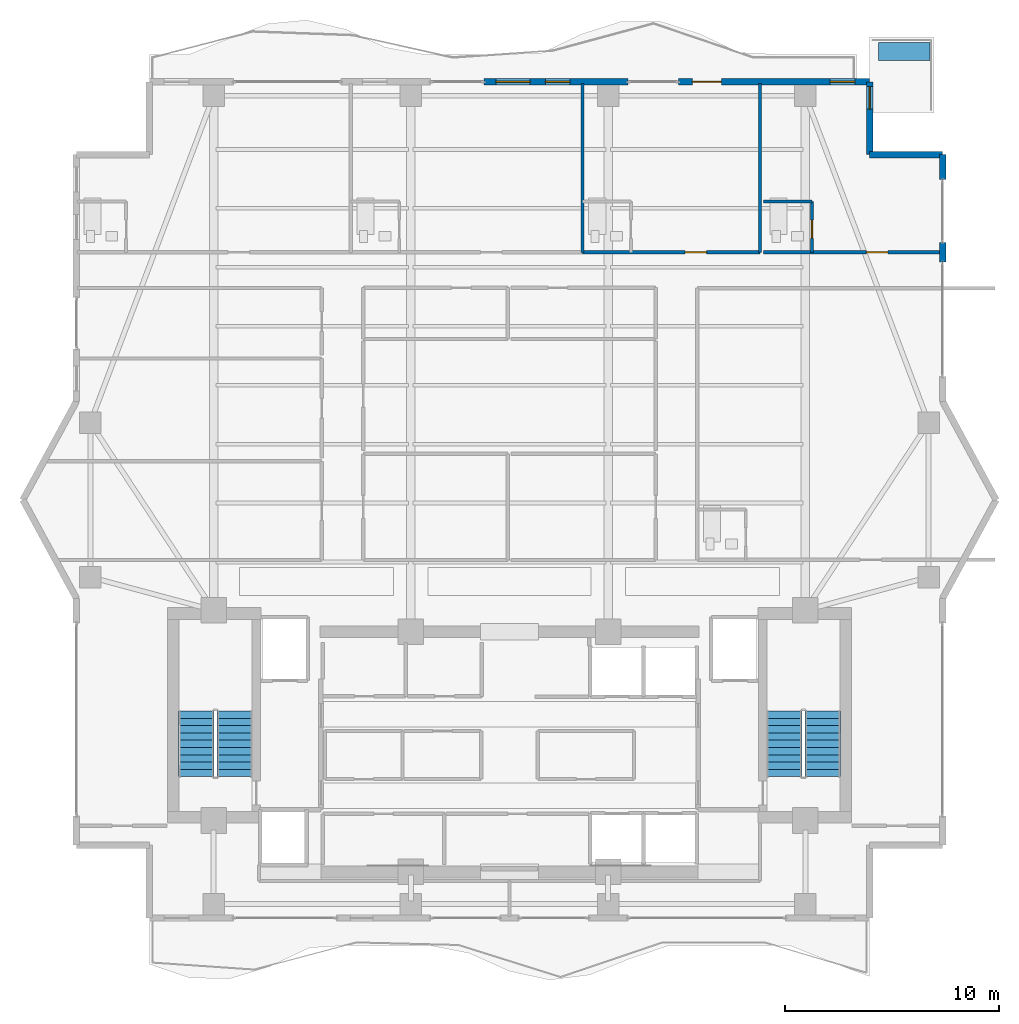
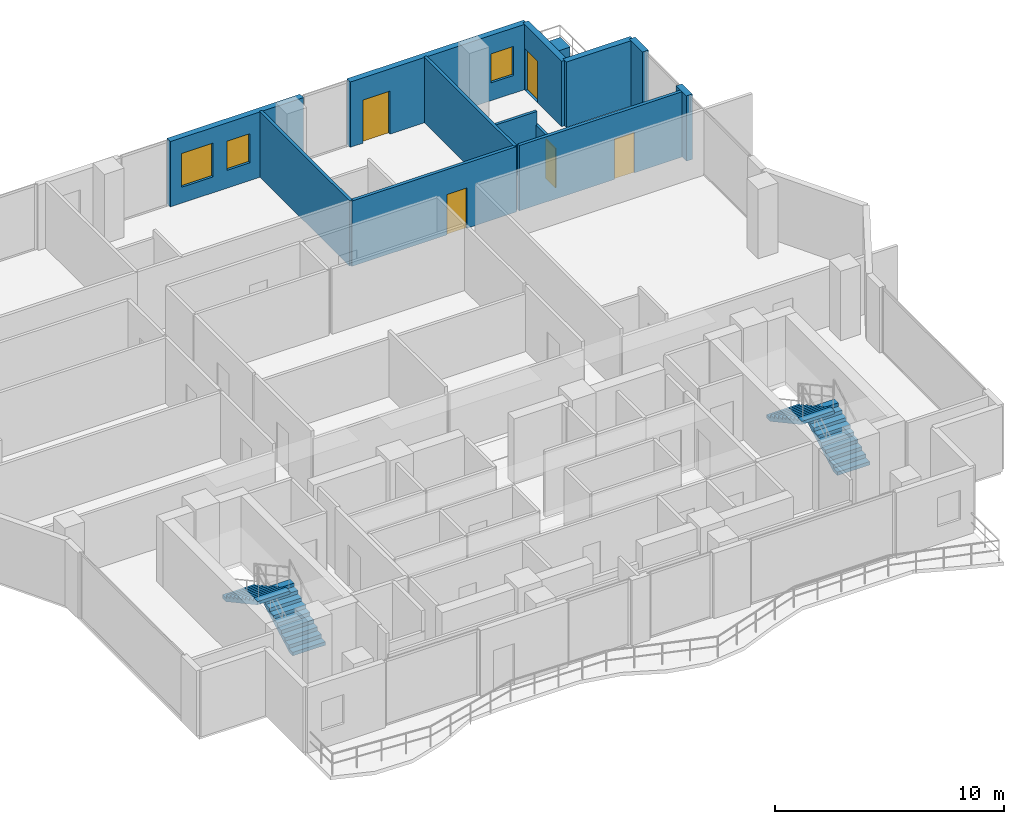
# One storey, part 20 of 23: 12 walls, 5 doors, 4 stair flights, 3 windows, 1 building element part, 8 openings, 2 elements without a shape of their own.
"""IFC4 building model written with IfcOpenShell, lengths in metres."""

from ifc_helpers import new_model, si_unit, direction, frame, frame_2d, origin, origin_2d, place, context, subcontext, project, spatial, polyline, rectangle, outline, extrude, material, layer, layer_set, type_object, element, fill, aggregate, save


model = new_model("IFC4")

# Units and contexts
model_context = context("Model", 3, precision=1e-05, world=origin(), true_north=direction((0.0, 1.0)))
body_context = subcontext(model_context, "Body", "Model", "MODEL_VIEW")
ifc_project = project(units=[si_unit("LENGTHUNIT", "METRE"), si_unit("AREAUNIT", "SQUARE_METRE"), si_unit("VOLUMEUNIT", "CUBIC_METRE"), si_unit("PLANEANGLEUNIT", "RADIAN"), si_unit("MASSUNIT", "GRAM", prefix="KILO")], contexts=[model_context])

# Site, building, storey
site_placement = place(None, origin())
site = spatial("IfcSite", under=ifc_project, at=site_placement, CompositionType="ELEMENT")
building_placement = place(site_placement, origin())
building = spatial("IfcBuilding", under=site, at=building_placement, Name="Zuhayl Quay Hotel", CompositionType="ELEMENT")
storey_placement = place(building_placement, frame((0.0, 0.0, 265.550048828125)))
storey = spatial("IfcBuildingStorey", under=building, at=storey_placement, Name="L67", CompositionType="ELEMENT", Elevation=265.550048828125)

# Wall, openings, windows
ifc_material_1 = material(Name="Precast concrete C45/55", Category="concrete")
ifc_layer_1 = layer(ifc_material_1, 0.300048828125, Name="Precast concrete C45/55", Category="concrete")
ifc_layer_set_1 = layer_set([ifc_layer_1], Name="Precast concrete C45/55")
wall_type_1 = type_object("IfcWallType", Name="WL_EXT_300", PredefinedType="STANDARD", material=ifc_layer_set_1)
wall_1_placement = place(storey_placement, frame((-1.18994140625, 39.0, 0.0), z_axis=(0.0, 0.0, 1.0), x_axis=(1.0, 0.0, 0.0)))
wall_1 = element("IfcWall", 1, at=wall_1_placement, inside=storey, type_object=wall_type_1, Name="L67 Exterior Precast Wall ENV_L67_N_EW3", PredefinedType="STANDARD", context=body_context, shape_type="SweptSolid", body=[
    extrude(rectangle(XDim=6.7099609375, YDim=0.300048828125, at=frame_2d((3.35498046875, 0.0))), origin(), (0.0, 0.0, 1.0), 3.47998046875),
])
opening_1_placement = place(wall_1_placement, frame((0.550048828125, 0.0, 0.85009765625)))
opening_1 = element("IfcOpeningElement", 2, at=opening_1_placement, cuts=wall_1, Name="Opening W01", PredefinedType="OPENING", context=body_context, shape_type="SweptSolid", body=[
    extrude(rectangle(XDim=1.60009765625, YDim=1.800048828125, at=frame_2d((0.800048828125, 0.89990234375))), frame((0.0, 0.159912109375, 0.0), z_axis=(0.0, -1.0, 0.0), x_axis=(1.0, 0.0, 0.0)), (0.0, 0.0, 1.0), 0.320068359375),
])
opening_2_placement = place(wall_1_placement, frame((2.860107421875, 0.0, 0.949951171875)))
opening_2 = element("IfcOpeningElement", 3, at=opening_2_placement, cuts=wall_1, Name="Opening W01N", PredefinedType="OPENING", context=body_context, shape_type="SweptSolid", body=[
    extrude(rectangle(XDim=1.14990234375, YDim=1.550048828125, at=frame_2d((0.574951171875, 0.77490234375))), frame((0.0, 0.159912109375, 0.0), z_axis=(0.0, -1.0, 0.0), x_axis=(1.0, 0.0, 0.0)), (0.0, 0.0, 1.0), 0.320068359375),
])
ifc_material_2 = material(Name="Dark Ceramic-Fritted Solar Glass", Category="glass")
window_type_1 = type_object("IfcWindowType", Name="WN_NOTCH_1350", PartitioningType="SINGLE_PANEL", PredefinedType="WINDOW", material=ifc_material_2)
window_1_placement = place(opening_2_placement, origin())
window_1 = element("IfcWindow", 4, at=window_1_placement, inside=storey, type_object=window_type_1, Name="L67 Operable Facade Window 3-1", OverallHeight=1.550048828125, OverallWidth=1.14990234375, PartitioningType="SINGLE_PANEL", PredefinedType="WINDOW", context=body_context, shape_type="SweptSolid", body=[
    extrude(rectangle(XDim=1.14990234375, YDim=1.550048828125, at=frame_2d((0.574951171875, 0.77490234375))), frame((0.0, 0.030029296875, 0.0), z_axis=(0.0, -1.0, 0.0), x_axis=(1.0, 0.0, 0.0)), (0.0, 0.0, 1.0), 0.06005859375),
])
fill(opening_2, window_1)
window_type_2 = type_object("IfcWindowType", Name="WN_OPERABLE_1600", PartitioningType="DOUBLE_PANEL_VERTICAL", PredefinedType="WINDOW", material=ifc_material_2)
window_2_placement = place(opening_1_placement, origin())
window_2 = element("IfcWindow", 5, at=window_2_placement, inside=storey, type_object=window_type_2, Name="L67 North Operable Casement Window", OverallHeight=1.800048828125, OverallWidth=1.60009765625, PartitioningType="SINGLE_PANEL", PredefinedType="WINDOW", context=body_context, shape_type="SweptSolid", body=[
    extrude(rectangle(XDim=1.60009765625, YDim=1.800048828125, at=frame_2d((0.800048828125, 0.89990234375))), frame((0.0, 0.030029296875, 0.0), z_axis=(0.0, -1.0, 0.0), x_axis=(1.0, 0.0, 0.0)), (0.0, 0.0, 1.0), 0.06005859375),
])
fill(opening_1, window_2)

# Wall, openings, door, window
wall_2_placement = place(storey_placement, frame((7.8779296875, 39.0, 0.0), z_axis=(0.0, 0.0, 1.0), x_axis=(1.0, 0.0, 0.0)))
wall_2 = element("IfcWall", 6, at=wall_2_placement, inside=storey, type_object=wall_type_1, Name="L67 Exterior Precast Wall ENV_L67_N_EW4", PredefinedType="STANDARD", context=body_context, shape_type="SweptSolid", body=[
    extrude(rectangle(XDim=8.922119140625, YDim=0.300048828125, at=frame_2d((4.4609375, 0.0))), origin(), (0.0, 0.0, 1.0), 3.47998046875),
])
opening_3_placement = place(wall_2_placement, frame((0.64990234375, 0.0, 0.0)))
opening_3 = element("IfcOpeningElement", 7, at=opening_3_placement, cuts=wall_2, Name="Opening DG2", PredefinedType="OPENING", context=body_context, shape_type="SweptSolid", body=[
    extrude(rectangle(XDim=1.35009765625, YDim=2.300048828125, at=frame_2d((0.675048828125, 1.14990234375))), frame((0.0, 0.159912109375, 0.0), z_axis=(0.0, -1.0, 0.0), x_axis=(1.0, 0.0, 0.0)), (0.0, 0.0, 1.0), 0.320068359375),
])
opening_4_placement = place(wall_2_placement, frame((7.076904296875, 0.0, 0.949951171875)))
opening_4 = element("IfcOpeningElement", 8, at=opening_4_placement, cuts=wall_2, Name="Opening W01N", PredefinedType="OPENING", context=body_context, shape_type="SweptSolid", body=[
    extrude(rectangle(XDim=1.14990234375, YDim=1.550048828125, at=frame_2d((0.574951171875, 0.77490234375))), frame((0.0, 0.159912109375, 0.0), z_axis=(0.0, -1.0, 0.0), x_axis=(1.0, 0.0, 0.0)), (0.0, 0.0, 1.0), 0.320068359375),
])
ifc_material_3 = material(Name="Anodised Aluminium and Dark Solar Glass", Category="aluminium")
door_type_1 = type_object("IfcDoorType", Name="DR_EXT_TERR_1350", OperationType="NOTDEFINED", PredefinedType="DOOR", material=ifc_material_3)
door_1_placement = place(opening_3_placement, origin())
door_1 = element("IfcDoor", 9, at=door_1_placement, inside=storey, type_object=door_type_1, Name="L67 North Rippling Balcony Door", OperationType="SINGLE_SWING_LEFT", OverallHeight=2.300048828125, OverallWidth=1.35009765625, PredefinedType="DOOR", context=body_context, shape_type="SweptSolid", body=[
    extrude(rectangle(XDim=1.35009765625, YDim=2.300048828125, at=frame_2d((0.675048828125, 1.14990234375))), frame((0.0, 0.02490234375, 0.0), z_axis=(0.0, -1.0, 0.0), x_axis=(1.0, 0.0, 0.0)), (0.0, 0.0, 1.0), 0.050048828125),
])
fill(opening_3, door_1)
window_3_placement = place(opening_4_placement, origin())
window_3 = element("IfcWindow", 10, at=window_3_placement, inside=storey, type_object=window_type_1, Name="L67 Operable Facade Window 4-1", OverallHeight=1.550048828125, OverallWidth=1.14990234375, PartitioningType="SINGLE_PANEL", PredefinedType="WINDOW", context=body_context, shape_type="SweptSolid", body=[
    extrude(rectangle(XDim=1.14990234375, YDim=1.550048828125, at=frame_2d((0.574951171875, 0.77490234375))), frame((0.0, 0.030029296875, 0.0), z_axis=(0.0, -1.0, 0.0), x_axis=(1.0, 0.0, 0.0)), (0.0, 0.0, 1.0), 0.06005859375),
])
fill(opening_4, window_3)

# Wall, opening, door
wall_3_placement = place(storey_placement, frame((16.800048828125, 39.0, 0.0), z_axis=(0.0, 0.0, 1.0), x_axis=(0.0, -1.0, 0.0)))
wall_3 = element("IfcWall", 11, at=wall_3_placement, inside=storey, type_object=wall_type_1, Name="L67 Exterior Precast Wall ENV_L67_SP_NE", PredefinedType="STANDARD", context=body_context, shape_type="SweptSolid", body=[
    extrude(rectangle(XDim=3.39990234375, YDim=0.300048828125, at=frame_2d((1.699951171875, 0.0))), origin(), (0.0, 0.0, 1.0), 3.47998046875),
])
opening_5_placement = place(wall_3_placement, frame((0.219970703125, 0.0, 0.0)))
opening_5 = element("IfcOpeningElement", 12, at=opening_5_placement, cuts=wall_3, Name="Opening DG1", PredefinedType="OPENING", context=body_context, shape_type="SweptSolid", body=[
    extrude(rectangle(XDim=1.050048828125, YDim=2.199951171875, at=frame_2d((0.52490234375, 1.10009765625))), frame((0.0, 0.159912109375, 0.0), z_axis=(0.0, -1.0, 0.0), x_axis=(1.0, 0.0, 0.0)), (0.0, 0.0, 1.0), 0.320068359375),
])
door_type_2 = type_object("IfcDoorType", Name="DR_EXT_TERR_1050", OperationType="NOTDEFINED", PredefinedType="DOOR", material=ifc_material_3)
door_2_placement = place(opening_5_placement, origin())
door_2 = element("IfcDoor", 13, at=door_2_placement, inside=storey, type_object=door_type_2, Name="L67 Spiral Sky-Terrace NE Access Door", OperationType="SINGLE_SWING_LEFT", OverallHeight=2.199951171875, OverallWidth=1.050048828125, PredefinedType="DOOR", context=body_context, shape_type="SweptSolid", body=[
    extrude(rectangle(XDim=1.050048828125, YDim=2.199951171875, at=frame_2d((0.52490234375, 1.10009765625))), frame((0.0, 0.02490234375, 0.0), z_axis=(0.0, -1.0, 0.0), x_axis=(1.0, 0.0, 0.0)), (0.0, 0.0, 1.0), 0.050048828125),
])
fill(opening_5, door_2)

# Walls
wall_4_placement = place(storey_placement, frame((16.800048828125, 35.60009765625, 0.0), z_axis=(0.0, 0.0, 1.0), x_axis=(1.0, 0.0, 0.0)))
element("IfcWall", 14, at=wall_4_placement, inside=storey, type_object=wall_type_1, Name="L67 Exterior Precast Wall ENV_L67_EW10", PredefinedType="STANDARD", context=body_context, shape_type="SweptSolid", body=[
    extrude(rectangle(XDim=3.39990234375, YDim=0.300048828125, at=frame_2d((1.699951171875, 0.0))), origin(), (0.0, 0.0, 1.0), 3.47998046875),
])
wall_5_placement = place(storey_placement, frame((20.199951171875, 35.60009765625, 0.0), z_axis=(0.0, 0.0, 1.0), x_axis=(0.0, -1.0, 0.0)))
element("IfcWall", 15, at=wall_5_placement, inside=storey, type_object=wall_type_1, Name="L67 Exterior Precast Wall ENV_L67_E11_EW1", PredefinedType="STANDARD", context=body_context, shape_type="SweptSolid", body=[
    extrude(rectangle(XDim=1.150146484375, YDim=0.300048828125, at=frame_2d((0.5751953125, 0.0))), origin(), (0.0, 0.0, 1.0), 3.47998046875),
])
wall_6_placement = place(storey_placement, frame((20.199951171875, 31.5, 0.0), z_axis=(0.0, 0.0, 1.0), x_axis=(0.0, -1.0, 0.0)))
element("IfcWall", 16, at=wall_6_placement, inside=storey, type_object=wall_type_1, Name="L67 Exterior Precast Wall ENV_L67_E11_EW2", PredefinedType="STANDARD", context=body_context, shape_type="SweptSolid", body=[
    extrude(rectangle(XDim=0.89990234375, YDim=0.300048828125, at=frame_2d((0.449951171875, 0.0))), origin(), (0.0, 0.0, 1.0), 3.47998046875),
])
ifc_material_4 = material(Name="Acoustic Gypsum Partition STC-58")
ifc_layer_2 = layer(ifc_material_4, 0.14990234375, Name="Acoustic Gypsum Partition STC-58")
ifc_layer_set_2 = layer_set([ifc_layer_2], Name="Acoustic Gypsum Partition STC-58")
wall_type_2 = type_object("IfcWallType", Name="WL_PART_150", PredefinedType="PARTITIONING", material=ifc_layer_set_2)
for number, where, z_axis, x_axis, name in (
    (17, (3.39990234375, 31.050048828125, 0.0), (0.0, 0.0, 1.0), (0.0, 1.0, 0.0), "L67 Partition IW_L67_NU02_E"),
    (18, (11.68994140625, 31.050048828125, 0.0), (0.0, 0.0, 1.0), (0.0, 1.0, 0.0), "L67 Partition IW_L67_NU03A_E"),
):
    element("IfcWall", number, at=place(storey_placement, frame(where, z_axis=z_axis, x_axis=x_axis)), inside=storey, type_object=wall_type_2, Name=name, PredefinedType="PARTITIONING", context=body_context, shape_type="SweptSolid", body=[
        extrude(rectangle(XDim=7.869873046875, YDim=0.14990234375, at=frame_2d((3.93505859375, 0.0))), origin(), (0.0, 0.0, 1.0), 3.47998046875),
    ])

# Wall, opening, door
ifc_layer_3 = layer(ifc_material_4, 0.159912109375, Name="Acoustic Gypsum Partition STC-58")
ifc_layer_set_3 = layer_set([ifc_layer_3], Name="Acoustic Gypsum Partition STC-58")
wall_type_3 = type_object("IfcWallType", Name="WL_PART_CORR_160", PredefinedType="PARTITIONING", material=ifc_layer_set_3)
wall_7_placement = place(storey_placement, frame((3.39990234375, 31.050048828125, 0.0), z_axis=(0.0, 0.0, 1.0), x_axis=(1.0, 0.0, 0.0)))
wall_7 = element("IfcWall", 19, at=wall_7_placement, inside=storey, type_object=wall_type_3, Name="L67 Partition IW_L67_NU03A_COR", PredefinedType="PARTITIONING", context=body_context, shape_type="SweptSolid", body=[
    extrude(rectangle(XDim=8.2900390625, YDim=0.159912109375, at=frame_2d((4.14501953125, 0.0))), origin(), (0.0, 0.0, 1.0), 3.47998046875),
])
opening_6_placement = place(wall_7_placement, frame((4.794921875, 0.0, 0.0)))
opening_6 = element("IfcOpeningElement", 20, at=opening_6_placement, cuts=wall_7, Name="Opening D03L", PredefinedType="OPENING", context=body_context, shape_type="SweptSolid", body=[
    extrude(rectangle(XDim=1.0, YDim=2.14990234375, at=frame_2d((0.5, 1.074951171875))), frame((0.0, 0.08984375, 0.0), z_axis=(0.0, -1.0, 0.0), x_axis=(1.0, 0.0, 0.0)), (0.0, 0.0, 1.0), 0.179931640625),
])
ifc_material_5 = material(Name="Solid Walnut Acoustic Fire Door")
door_type_3 = type_object("IfcDoorType", Name="DR_SUITE_1000", OperationType="NOTDEFINED", PredefinedType="DOOR", material=ifc_material_5)
door_3_placement = place(opening_6_placement, origin())
door_3 = element("IfcDoor", 21, at=door_3_placement, inside=storey, type_object=door_type_3, Name="L67 Royal Gulf Suite L67-03A Entrance Door", OperationType="SINGLE_SWING_RIGHT", OverallHeight=2.14990234375, OverallWidth=1.0, PredefinedType="DOOR", context=body_context, shape_type="SweptSolid", body=[
    extrude(rectangle(XDim=1.0, YDim=2.14990234375, at=frame_2d((0.5, 1.074951171875))), frame((0.0, 0.02490234375, 0.0), z_axis=(0.0, -1.0, 0.0), x_axis=(1.0, 0.0, 0.0)), (0.0, 0.0, 1.0), 0.050048828125),
])
fill(opening_6, door_3)

wall_8_placement = place(storey_placement, frame((11.85009765625, 31.050048828125, 0.0), z_axis=(0.0, 0.0, 1.0), x_axis=(1.0, 0.0, 0.0)))
wall_8 = element("IfcWall", 22, at=wall_8_placement, inside=storey, type_object=wall_type_3, Name="L67 Partition IW_L67_NU03B_COR", PredefinedType="PARTITIONING", context=body_context, shape_type="SweptSolid", body=[
    extrude(rectangle(XDim=8.289794921875, YDim=0.159912109375, at=frame_2d((4.14501953125, 0.0))), origin(), (0.0, 0.0, 1.0), 3.47998046875),
])
opening_7_placement = place(wall_8_placement, frame((4.794921875, 0.0, 0.0)))
opening_7 = element("IfcOpeningElement", 23, at=opening_7_placement, cuts=wall_8, Name="Opening D03L", PredefinedType="OPENING", context=body_context, shape_type="SweptSolid", body=[
    extrude(rectangle(XDim=1.0, YDim=2.14990234375, at=frame_2d((0.5, 1.074951171875))), frame((0.0, 0.08984375, 0.0), z_axis=(0.0, -1.0, 0.0), x_axis=(1.0, 0.0, 0.0)), (0.0, 0.0, 1.0), 0.179931640625),
])
door_4_placement = place(opening_7_placement, origin())
door_4 = element("IfcDoor", 24, at=door_4_placement, inside=storey, type_object=door_type_3, Name="L67 Royal Gulf Suite L67-03B Entrance Door", OperationType="SINGLE_SWING_RIGHT", OverallHeight=2.14990234375, OverallWidth=1.0, PredefinedType="DOOR", context=body_context, shape_type="SweptSolid", body=[
    extrude(rectangle(XDim=1.0, YDim=2.14990234375, at=frame_2d((0.5, 1.074951171875))), frame((0.0, 0.02490234375, 0.0), z_axis=(0.0, -1.0, 0.0), x_axis=(1.0, 0.0, 0.0)), (0.0, 0.0, 1.0), 0.050048828125),
])
fill(opening_7, door_4)

ifc_material_6 = material(Name="Moisture-Resistant Sanitarychase Gypsum")
ifc_layer_4 = layer(ifc_material_6, 0.135009765625, Name="Moisture-Resistant Sanitarychase Gypsum")
ifc_layer_set_4 = layer_set([ifc_layer_4], Name="Moisture-Resistant Sanitarychase Gypsum")
wall_type_4 = type_object("IfcWallType", Name="WL_PART_PLUMB_150", PredefinedType="PLUMBINGWALL", material=ifc_layer_set_4)
wall_9_placement = place(storey_placement, frame((14.110107421875, 31.050048828125, 0.0), z_axis=(0.0, 0.0, 1.0), x_axis=(0.0, 1.0, 0.0)))
wall_9 = element("IfcWall", 25, at=wall_9_placement, inside=storey, type_object=wall_type_4, Name="L67 Partition IW_L67_NU03B_BE", PredefinedType="PLUMBINGWALL", context=body_context, shape_type="SweptSolid", body=[
    extrude(rectangle(XDim=2.35986328125, YDim=0.135009765625, at=frame_2d((1.179931640625, 0.0))), origin(), (0.0, 0.0, 1.0), 2.362060546875),
])
opening_8_placement = place(wall_9_placement, frame((0.64990234375, 0.0, 0.0)))
opening_8 = element("IfcOpeningElement", 26, at=opening_8_placement, cuts=wall_9, Name="Opening D04", PredefinedType="OPENING", context=body_context, shape_type="SweptSolid", body=[
    extrude(rectangle(XDim=0.85009765625, YDim=2.10009765625, at=frame_2d((0.425048828125, 1.050048828125))), frame((0.0, 0.077392578125, 0.0), z_axis=(0.0, -1.0, 0.0), x_axis=(1.0, 0.0, 0.0)), (0.0, 0.0, 1.0), 0.155029296875),
])
ifc_material_7 = material(Name="Moisture-Resistant Walnut Veneer")
door_type_4 = type_object("IfcDoorType", Name="DR_BATH_850", OperationType="NOTDEFINED", PredefinedType="DOOR", material=ifc_material_7)
door_5_placement = place(opening_8_placement, origin())
door_5 = element("IfcDoor", 27, at=door_5_placement, inside=storey, type_object=door_type_4, Name="L67 Royal Gulf Suite L67-03B En-Suite Door", OperationType="SINGLE_SWING_LEFT", OverallHeight=2.10009765625, OverallWidth=0.85009765625, PredefinedType="DOOR", context=body_context, shape_type="SweptSolid", body=[
    extrude(rectangle(XDim=0.85009765625, YDim=2.10009765625, at=frame_2d((0.425048828125, 1.050048828125))), frame((0.0, 0.02490234375, 0.0), z_axis=(0.0, -1.0, 0.0), x_axis=(1.0, 0.0, 0.0)), (0.0, 0.0, 1.0), 0.050048828125),
])
fill(opening_8, door_5)

# Wall
wall_10_placement = place(storey_placement, frame((11.85009765625, 33.409912109375, 0.0), z_axis=(0.0, 0.0, 1.0), x_axis=(1.0, 0.0, 0.0)))
element("IfcWall", 28, at=wall_10_placement, inside=storey, type_object=wall_type_4, Name="L67 Partition IW_L67_NU03B_BN", PredefinedType="PLUMBINGWALL", context=body_context, shape_type="SweptSolid", body=[
    extrude(rectangle(XDim=2.260009765625, YDim=0.135009765625, at=frame_2d((1.1298828125, 0.0))), origin(), (0.0, 0.0, 1.0), 3.075927734375),
])

# Stair, stair flights
ifc_material_8 = material(Name="Concrete C45/55", Category="concrete")
stair_type = type_object("IfcStairType", Name="ST_DOGLEG_TOWER", PredefinedType="HALF_TURN_STAIR", material=ifc_material_8)
stair_1_placement = place(storey_placement, origin())
stair_1 = element("IfcStair", 29, at=stair_1_placement, inside=storey, type_object=stair_type, Name="L67 Smokeproof Exit Stair ST1", PredefinedType="HALF_TURN_STAIR")
ifc_layer_5 = layer(ifc_material_8, 0.159912109375, Name="Concrete C45/55", Category="concrete")
ifc_layer_set_5 = layer_set([ifc_layer_5], Name="Concrete C45/55")
stair_flight_type = type_object("IfcStairFlightType", Name="SF_CONC_164", PredefinedType="STRAIGHT", material=ifc_layer_set_5)
stair_flight_1_placement = place(storey_placement, frame((-12.820068359375, 6.590087890625, 0.0), z_axis=(0.0, 0.0, 1.0), x_axis=(0.0, 1.0, 0.0)))
stair_flight_1 = element("IfcStairFlight", 30, at=stair_flight_1_placement, type_object=stair_flight_type, Name="ST1 flight 1", NumberOfRisers=10, NumberOfTreads=9, PredefinedType="STRAIGHT", RiserHeight=0.185, TreadLength=0.34, context=body_context, shape_type="SweptSolid", body=[
    extrude(outline(polyline([(0.0, 0.0), (0.0, 0.18505859375), (0.340087890625, 0.18505859375), (0.340087890625, 0.3701171875), (0.679931640625, 0.3701171875), (0.679931640625, 0.554931640625), (1.02001953125, 0.554931640625), (1.02001953125, 0.739990234375), (1.360107421875, 0.739990234375), (1.360107421875, 0.925048828125), (1.699951171875, 0.925048828125), (1.699951171875, 1.110107421875), (2.0400390625, 1.110107421875), (2.0400390625, 1.294921875), (2.3798828125, 1.294921875), (2.3798828125, 1.47998046875), (2.719970703125, 1.47998046875), (2.719970703125, 1.6650390625), (3.06005859375, 1.6650390625), (3.06005859375, 1.85009765625), (3.06005859375, 1.494384765625), (0.313720703125, 0.0), (0.0, 0.0)])), frame((0.0, 0.81982421875, 0.0), z_axis=(0.0, -1.0, 0.0), x_axis=(1.0, 0.0, 0.0)), (0.0, 0.0, 1.0), 1.639892578125),
])
stair_flight_2_placement = place(storey_placement, frame((-14.610107421875, 9.64990234375, 1.849853515625), z_axis=(0.0, 0.0, 1.0), x_axis=(0.0, -1.0, 0.0)))
stair_flight_2 = element("IfcStairFlight", 31, at=stair_flight_2_placement, type_object=stair_flight_type, Name="ST1 flight 2", NumberOfRisers=10, NumberOfTreads=9, PredefinedType="STRAIGHT", RiserHeight=0.185, TreadLength=0.34, context=body_context, shape_type="SweptSolid", body=[
    extrude(outline(polyline([(0.0, 0.0), (0.0, 0.18505859375), (0.340087890625, 0.18505859375), (0.340087890625, 0.3701171875), (0.679931640625, 0.3701171875), (0.679931640625, 0.554931640625), (1.02001953125, 0.554931640625), (1.02001953125, 0.739990234375), (1.360107421875, 0.739990234375), (1.360107421875, 0.925048828125), (1.699951171875, 0.925048828125), (1.699951171875, 1.110107421875), (2.0400390625, 1.110107421875), (2.0400390625, 1.294921875), (2.3798828125, 1.294921875), (2.3798828125, 1.47998046875), (2.719970703125, 1.47998046875), (2.719970703125, 1.6650390625), (3.06005859375, 1.6650390625), (3.06005859375, 1.85009765625), (3.06005859375, 1.494384765625), (0.313720703125, 0.0), (0.0, 0.0)])), frame((0.0, 0.81982421875, 0.0), z_axis=(0.0, -1.0, 0.0), x_axis=(1.0, 0.0, 0.0)), (0.0, 0.0, 1.0), 1.639892578125),
])
aggregate(stair_1, [stair_flight_1, stair_flight_2])

stair_2_placement = place(storey_placement, origin())
stair_2 = element("IfcStair", 32, at=stair_2_placement, inside=storey, type_object=stair_type, Name="L67 Smokeproof Exit Stair ST2", PredefinedType="HALF_TURN_STAIR")
stair_flight_3_placement = place(storey_placement, frame((14.610107421875, 6.590087890625, 0.0), z_axis=(0.0, 0.0, 1.0), x_axis=(0.0, 1.0, 0.0)))
stair_flight_3 = element("IfcStairFlight", 33, at=stair_flight_3_placement, type_object=stair_flight_type, Name="ST2 flight 1", NumberOfRisers=10, NumberOfTreads=9, PredefinedType="STRAIGHT", RiserHeight=0.185, TreadLength=0.34, context=body_context, shape_type="SweptSolid", body=[
    extrude(outline(polyline([(0.0, 0.0), (0.0, 0.18505859375), (0.340087890625, 0.18505859375), (0.340087890625, 0.3701171875), (0.679931640625, 0.3701171875), (0.679931640625, 0.554931640625), (1.02001953125, 0.554931640625), (1.02001953125, 0.739990234375), (1.360107421875, 0.739990234375), (1.360107421875, 0.925048828125), (1.699951171875, 0.925048828125), (1.699951171875, 1.110107421875), (2.0400390625, 1.110107421875), (2.0400390625, 1.294921875), (2.3798828125, 1.294921875), (2.3798828125, 1.47998046875), (2.719970703125, 1.47998046875), (2.719970703125, 1.6650390625), (3.06005859375, 1.6650390625), (3.06005859375, 1.85009765625), (3.06005859375, 1.494384765625), (0.313720703125, 0.0), (0.0, 0.0)])), frame((0.0, 0.81982421875, 0.0), z_axis=(0.0, -1.0, 0.0), x_axis=(1.0, 0.0, 0.0)), (0.0, 0.0, 1.0), 1.639892578125),
])
stair_flight_4_placement = place(storey_placement, frame((12.820068359375, 9.64990234375, 1.849853515625), z_axis=(0.0, 0.0, 1.0), x_axis=(0.0, -1.0, 0.0)))
stair_flight_4 = element("IfcStairFlight", 34, at=stair_flight_4_placement, type_object=stair_flight_type, Name="ST2 flight 2", NumberOfRisers=10, NumberOfTreads=9, PredefinedType="STRAIGHT", RiserHeight=0.185, TreadLength=0.34, context=body_context, shape_type="SweptSolid", body=[
    extrude(outline(polyline([(0.0, 0.0), (0.0, 0.18505859375), (0.340087890625, 0.18505859375), (0.340087890625, 0.3701171875), (0.679931640625, 0.3701171875), (0.679931640625, 0.554931640625), (1.02001953125, 0.554931640625), (1.02001953125, 0.739990234375), (1.360107421875, 0.739990234375), (1.360107421875, 0.925048828125), (1.699951171875, 0.925048828125), (1.699951171875, 1.110107421875), (2.0400390625, 1.110107421875), (2.0400390625, 1.294921875), (2.3798828125, 1.294921875), (2.3798828125, 1.47998046875), (2.719970703125, 1.47998046875), (2.719970703125, 1.6650390625), (3.06005859375, 1.6650390625), (3.06005859375, 1.85009765625), (3.06005859375, 1.494384765625), (0.313720703125, 0.0), (0.0, 0.0)])), frame((0.0, 0.81982421875, 0.0), z_axis=(0.0, -1.0, 0.0), x_axis=(1.0, 0.0, 0.0)), (0.0, 0.0, 1.0), 1.639892578125),
])
aggregate(stair_2, [stair_flight_3, stair_flight_4])

# Building element part
ifc_layer_6 = layer(ifc_material_1, 0.550048828125, Name="Precast concrete C45/55", Category="concrete")
ifc_layer_set_6 = layer_set([ifc_layer_6], Name="Precast concrete C45/55")
building_element_part_type = type_object("IfcBuildingElementPartType", Name="PT_PLANTER_KERB", PredefinedType="PRECASTPANEL", material=ifc_layer_set_6)
building_element_part_placement = place(storey_placement, frame((18.409912109375, 40.409912109375, 0.0), z_axis=(0.0, 0.0, 1.0), x_axis=(1.0, 0.0, 0.0)))
element("IfcBuildingElementPart", 35, at=building_element_part_placement, inside=storey, type_object=building_element_part_type, Name="L67 Spiral Sky-Terrace Planter Box NE", PredefinedType="PRECASTPANEL", context=body_context, shape_type="SweptSolid", body=[
    extrude(rectangle(XDim=2.39990234375, YDim=0.85009765625, at=origin_2d()), origin(), (0.0, 0.0, 1.0), 0.550048828125),
])

save(model, "model.ifc")
